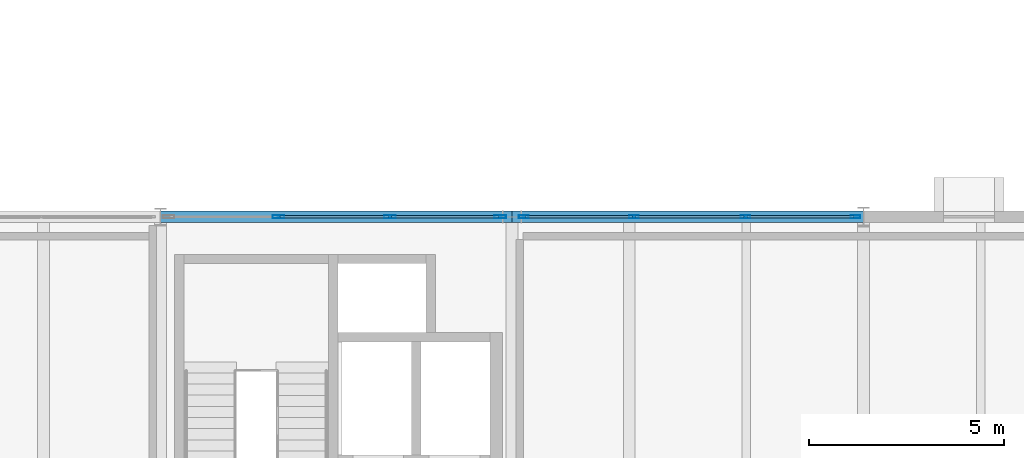
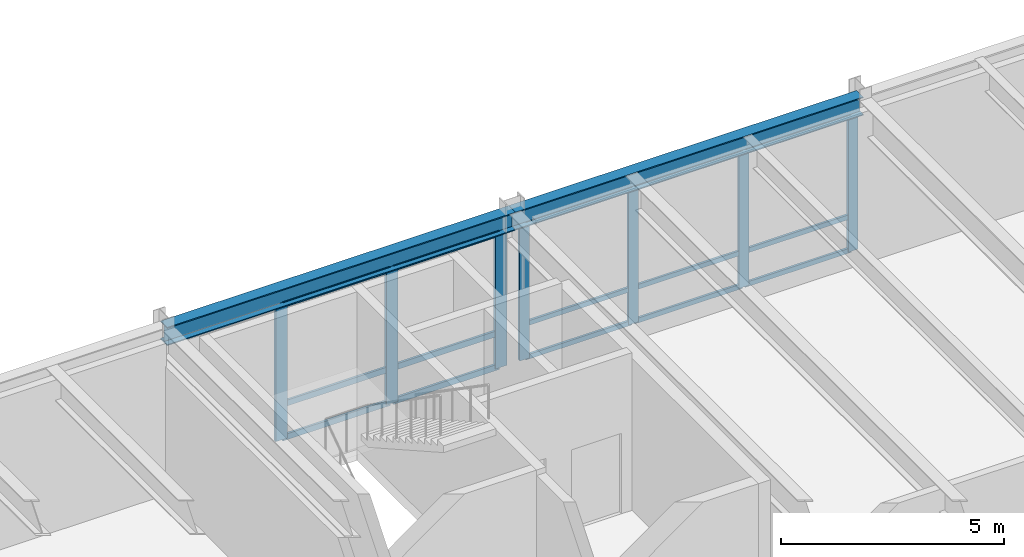
# One storey, part 87 of 142: 22 members, 2 beams, 2 elements without a shape of their own.
"""IFC4 building model written with IfcOpenShell, lengths in metres."""

from ifc_helpers import new_model, si_unit, direction, frame, origin, origin_2d, place, context, subcontext, project, spatial, hollow_rectangle, i_section, extrude, material, layer, layer_set, material_profile, profile_set, type_object, element, aggregate, save


model = new_model("IFC4")

# Units and contexts
model_context = context("Model", 3, precision=1e-05, world=origin(), true_north=direction((0.0, 1.0)))
body_context = subcontext(model_context, "Body", "Model", "MODEL_VIEW")
ifc_project = project(units=[si_unit("LENGTHUNIT", "METRE"), si_unit("AREAUNIT", "SQUARE_METRE"), si_unit("VOLUMEUNIT", "CUBIC_METRE"), si_unit("PLANEANGLEUNIT", "RADIAN"), si_unit("MASSUNIT", "GRAM", prefix="KILO")], contexts=[model_context])

# Site, building, storey
site_placement = place(None, origin())
site = spatial("IfcSite", under=ifc_project, at=site_placement, CompositionType="ELEMENT")
building_placement = place(site_placement, origin())
building = spatial("IfcBuilding", under=site, at=building_placement, Name="Montelvaro Courts of Justice", CompositionType="ELEMENT")
storey_placement = place(building_placement, frame((0.0, 0.0, 14.39990234375)))
storey = spatial("IfcBuildingStorey", under=building, at=storey_placement, Name="L03", CompositionType="ELEMENT", Elevation=14.39990234375)

# Beams
ifc_material_1 = material(Name="Steel S355", Category="steel")
ifc_material_profile_1 = material_profile(ifc_material_1, i_section(OverallWidth=0.300048828125, OverallDepth=0.5, WebThickness=0.014404296875, FlangeThickness=0.028076171875, at=origin_2d()), Name="HEB 500")
ifc_profile_set_1 = profile_set([ifc_material_profile_1], Name="Steel S355")
beam_type = type_object("IfcBeamType", Name="Beam_HEB500", PredefinedType="USERDEFINED", material=ifc_profile_set_1)
for number, where, z_axis, x_axis, name in (
    (1, (117.0, 96.0, 3.9501953125), (1.0, 0.0, 0.0), (0.0, 1.0, 0.0), "Beam B-25 L03"),
    (2, (126.0, 96.0, 3.9501953125), (1.0, 0.0, 0.0), (0.0, 1.0, 0.0), "Beam B-25 L03"),
):
    element("IfcBeam", number, at=place(storey_placement, frame(where, z_axis=z_axis, x_axis=x_axis)), inside=storey, type_object=beam_type, Name=name, ObjectType="GIRDER", PredefinedType="USERDEFINED", context=body_context, shape_type="SweptSolid", body=[
        extrude(i_section(OverallWidth=0.300048828125, OverallDepth=0.5, WebThickness=0.014404296875, FlangeThickness=0.028076171875, at=origin_2d()), origin(), (0.0, 0.0, 1.0), 9.0),
    ])

# Curtain wall, members
ifc_material_2 = material(Name="Anodised aluminium EN AW-6063", Category="aluminium")
ifc_layer = layer(ifc_material_2, 0.159912109375)
ifc_layer_set = layer_set([ifc_layer], Name="Anodised aluminium EN AW-6063")
curtain_wall_type = type_object("IfcCurtainWallType", Name="CurtainWall_13_857x418", PredefinedType="USERDEFINED", material=ifc_layer_set)
curtain_wall_1_placement = place(storey_placement, origin())
curtain_wall_1 = element("IfcCurtainWall", 3, at=curtain_wall_1_placement, inside=storey, type_object=curtain_wall_type, Name="Curtain Wall CW-13 (L03)", ObjectType="CURTAIN WALL", PredefinedType="USERDEFINED")
ifc_material_profile_2 = material_profile(ifc_material_2, hollow_rectangle(XDim=0.074951171875, YDim=0.25, WallThickness=0.005615234375, at=origin_2d()), Name="ALU-M 75x250")
ifc_profile_set_2 = profile_set([ifc_material_profile_2], Name="Anodised aluminium EN AW-6063")
member_type_1 = type_object("IfcMemberType", Name="CurtainWall_Mullion_75x250", PredefinedType="MULLION", material=ifc_profile_set_2)
member_1_placement = place(storey_placement, frame((134.797607421875, 96.0, 0.0), z_axis=(0.0, 0.0, 1.0), x_axis=(0.0, -1.0, 0.0)))
member_1 = element("IfcMember", 4, at=member_1_placement, type_object=member_type_1, Name="CW-13 mullion 1", PredefinedType="MULLION", context=body_context, shape_type="SweptSolid", body=[
    extrude(hollow_rectangle(XDim=0.074951171875, YDim=0.25, WallThickness=0.005615234375, at=origin_2d()), origin(), (0.0, 0.0, 1.0), 3.695068359375),
])
member_2_placement = place(storey_placement, frame((131.978271484375, 96.0, 0.0), z_axis=(0.0, 0.0, 1.0), x_axis=(0.0, -1.0, 0.0)))
member_2 = element("IfcMember", 5, at=member_2_placement, type_object=member_type_1, Name="CW-13 mullion 2", PredefinedType="MULLION", context=body_context, shape_type="SweptSolid", body=[
    extrude(hollow_rectangle(XDim=0.074951171875, YDim=0.25, WallThickness=0.005615234375, at=origin_2d()), origin(), (0.0, 0.0, 1.0), 3.695068359375),
])
member_3_placement = place(storey_placement, frame((129.12158203125, 96.0, 0.0), z_axis=(0.0, 0.0, 1.0), x_axis=(0.0, -1.0, 0.0)))
member_3 = element("IfcMember", 6, at=member_3_placement, type_object=member_type_1, Name="CW-13 mullion 3", PredefinedType="MULLION", context=body_context, shape_type="SweptSolid", body=[
    extrude(hollow_rectangle(XDim=0.074951171875, YDim=0.25, WallThickness=0.005615234375, at=origin_2d()), origin(), (0.0, 0.0, 1.0), 3.695068359375),
])
member_4_placement = place(storey_placement, frame((126.302490234375, 96.0, 0.0), z_axis=(0.0, 0.0, 1.0), x_axis=(0.0, -1.0, 0.0)))
member_4 = element("IfcMember", 7, at=member_4_placement, type_object=member_type_1, Name="CW-13 mullion 4", PredefinedType="MULLION", context=body_context, shape_type="SweptSolid", body=[
    extrude(hollow_rectangle(XDim=0.074951171875, YDim=0.25, WallThickness=0.005615234375, at=origin_2d()), origin(), (0.0, 0.0, 1.0), 3.695068359375),
])

curtain_wall_2_placement = place(storey_placement, origin())
curtain_wall_2 = element("IfcCurtainWall", 8, at=curtain_wall_2_placement, inside=storey, type_object=curtain_wall_type, Name="Curtain Wall CW-13 (L03)", ObjectType="CURTAIN WALL", PredefinedType="USERDEFINED")
ifc_material_profile_3 = material_profile(ifc_material_2, hollow_rectangle(XDim=0.074951171875, YDim=0.300048828125, WallThickness=0.006103515625, at=origin_2d()), Name="ALU-M 75x300")
ifc_profile_set_3 = profile_set([ifc_material_profile_3], Name="Anodised aluminium EN AW-6063")
member_type_2 = type_object("IfcMemberType", Name="CurtainWall_Mullion_75x300", PredefinedType="MULLION", material=ifc_profile_set_3)
member_5_placement = place(storey_placement, frame((125.697509765625, 96.0, 0.0), z_axis=(0.0, 0.0, 1.0), x_axis=(0.0, -1.0, 0.0)))
member_5 = element("IfcMember", 9, at=member_5_placement, type_object=member_type_2, Name="CW-13 mullion 1", PredefinedType="MULLION", context=body_context, shape_type="SweptSolid", body=[
    extrude(hollow_rectangle(XDim=0.074951171875, YDim=0.300048828125, WallThickness=0.006103515625, at=origin_2d()), origin(), (0.0, 0.0, 1.0), 3.695068359375),
])
member_6_placement = place(storey_placement, frame((122.87841796875, 96.0, 0.0), z_axis=(0.0, 0.0, 1.0), x_axis=(0.0, -1.0, 0.0)))
member_6 = element("IfcMember", 10, at=member_6_placement, type_object=member_type_2, Name="CW-13 mullion 2", PredefinedType="MULLION", context=body_context, shape_type="SweptSolid", body=[
    extrude(hollow_rectangle(XDim=0.074951171875, YDim=0.300048828125, WallThickness=0.006103515625, at=origin_2d()), origin(), (0.0, 0.0, 1.0), 3.695068359375),
])
member_7_placement = place(storey_placement, frame((120.021728515625, 96.0, 0.0), z_axis=(0.0, 0.0, 1.0), x_axis=(0.0, -1.0, 0.0)))
member_7 = element("IfcMember", 11, at=member_7_placement, type_object=member_type_2, Name="CW-13 mullion 3", PredefinedType="MULLION", context=body_context, shape_type="SweptSolid", body=[
    extrude(hollow_rectangle(XDim=0.074951171875, YDim=0.300048828125, WallThickness=0.006103515625, at=origin_2d()), origin(), (0.0, 0.0, 1.0), 3.695068359375),
])

# Member
ifc_material_profile_4 = material_profile(ifc_material_2, hollow_rectangle(XDim=0.06005859375, YDim=0.1298828125, WallThickness=0.00390625, at=origin_2d()), Name="ALU-T 60x130")
ifc_profile_set_4 = profile_set([ifc_material_profile_4], Name="Anodised aluminium EN AW-6063")
member_type_3 = type_object("IfcMemberType", Name="CurtainWall_Transom_60x130", PredefinedType="USERDEFINED", material=ifc_profile_set_4)
member_8_placement = place(storey_placement, frame((134.760009765625, 96.0, 0.030029296875), z_axis=(-1.0, 0.0, 0.0), x_axis=(0.0, -1.0, 0.0)))
member_8 = element("IfcMember", 12, at=member_8_placement, type_object=member_type_3, Name="CW-13 transom 1.1", ObjectType="TRANSOM", PredefinedType="USERDEFINED", context=body_context, shape_type="SweptSolid", body=[
    extrude(hollow_rectangle(XDim=0.06005859375, YDim=0.1298828125, WallThickness=0.00390625, at=origin_2d()), origin(), (0.0, 0.0, 1.0), 2.744140625),
])

member_9_placement = place(storey_placement, frame((134.760009765625, 96.0, 0.9501953125), z_axis=(-1.0, 0.0, 0.0), x_axis=(0.0, -1.0, 0.0)))
member_9 = element("IfcMember", 13, at=member_9_placement, type_object=member_type_3, Name="CW-13 transom 1.2", ObjectType="TRANSOM", PredefinedType="USERDEFINED", context=body_context, shape_type="SweptSolid", body=[
    extrude(hollow_rectangle(XDim=0.06005859375, YDim=0.1298828125, WallThickness=0.00390625, at=origin_2d()), origin(), (0.0, 0.0, 1.0), 2.744140625),
])

member_10_placement = place(storey_placement, frame((134.760009765625, 96.0, 3.6650390625), z_axis=(-1.0, 0.0, 0.0), x_axis=(0.0, -1.0, 0.0)))
member_10 = element("IfcMember", 14, at=member_10_placement, type_object=member_type_3, Name="CW-13 transom 1.3", ObjectType="TRANSOM", PredefinedType="USERDEFINED", context=body_context, shape_type="SweptSolid", body=[
    extrude(hollow_rectangle(XDim=0.06005859375, YDim=0.1298828125, WallThickness=0.00390625, at=origin_2d()), origin(), (0.0, 0.0, 1.0), 2.744140625),
])

member_11_placement = place(storey_placement, frame((131.94091796875, 96.0, 0.030029296875), z_axis=(-1.0, 0.0, 0.0), x_axis=(0.0, -1.0, 0.0)))
member_11 = element("IfcMember", 15, at=member_11_placement, type_object=member_type_3, Name="CW-13 transom 2.1", ObjectType="TRANSOM", PredefinedType="USERDEFINED", context=body_context, shape_type="SweptSolid", body=[
    extrude(hollow_rectangle(XDim=0.06005859375, YDim=0.1298828125, WallThickness=0.00390625, at=origin_2d()), origin(), (0.0, 0.0, 1.0), 2.78173828125),
])

member_12_placement = place(storey_placement, frame((131.94091796875, 96.0, 0.9501953125), z_axis=(-1.0, 0.0, 0.0), x_axis=(0.0, -1.0, 0.0)))
member_12 = element("IfcMember", 16, at=member_12_placement, type_object=member_type_3, Name="CW-13 transom 2.2", ObjectType="TRANSOM", PredefinedType="USERDEFINED", context=body_context, shape_type="SweptSolid", body=[
    extrude(hollow_rectangle(XDim=0.06005859375, YDim=0.1298828125, WallThickness=0.00390625, at=origin_2d()), origin(), (0.0, 0.0, 1.0), 2.78173828125),
])

member_13_placement = place(storey_placement, frame((131.94091796875, 96.0, 3.6650390625), z_axis=(-1.0, 0.0, 0.0), x_axis=(0.0, -1.0, 0.0)))
member_13 = element("IfcMember", 17, at=member_13_placement, type_object=member_type_3, Name="CW-13 transom 2.3", ObjectType="TRANSOM", PredefinedType="USERDEFINED", context=body_context, shape_type="SweptSolid", body=[
    extrude(hollow_rectangle(XDim=0.06005859375, YDim=0.1298828125, WallThickness=0.00390625, at=origin_2d()), origin(), (0.0, 0.0, 1.0), 2.78173828125),
])

member_14_placement = place(storey_placement, frame((129.084228515625, 96.0, 0.030029296875), z_axis=(-1.0, 0.0, 0.0), x_axis=(0.0, -1.0, 0.0)))
member_14 = element("IfcMember", 18, at=member_14_placement, type_object=member_type_3, Name="CW-13 transom 3.1", ObjectType="TRANSOM", PredefinedType="USERDEFINED", context=body_context, shape_type="SweptSolid", body=[
    extrude(hollow_rectangle(XDim=0.06005859375, YDim=0.1298828125, WallThickness=0.00390625, at=origin_2d()), origin(), (0.0, 0.0, 1.0), 2.744140625),
])

member_15_placement = place(storey_placement, frame((129.084228515625, 96.0, 0.9501953125), z_axis=(-1.0, 0.0, 0.0), x_axis=(0.0, -1.0, 0.0)))
member_15 = element("IfcMember", 19, at=member_15_placement, type_object=member_type_3, Name="CW-13 transom 3.2", ObjectType="TRANSOM", PredefinedType="USERDEFINED", context=body_context, shape_type="SweptSolid", body=[
    extrude(hollow_rectangle(XDim=0.06005859375, YDim=0.1298828125, WallThickness=0.00390625, at=origin_2d()), origin(), (0.0, 0.0, 1.0), 2.744140625),
])

member_16_placement = place(storey_placement, frame((129.084228515625, 96.0, 3.6650390625), z_axis=(-1.0, 0.0, 0.0), x_axis=(0.0, -1.0, 0.0)))
member_16 = element("IfcMember", 20, at=member_16_placement, type_object=member_type_3, Name="CW-13 transom 3.3", ObjectType="TRANSOM", PredefinedType="USERDEFINED", context=body_context, shape_type="SweptSolid", body=[
    extrude(hollow_rectangle(XDim=0.06005859375, YDim=0.1298828125, WallThickness=0.00390625, at=origin_2d()), origin(), (0.0, 0.0, 1.0), 2.744140625),
])

aggregate(curtain_wall_1, [member_1, member_2, member_3, member_4, member_8, member_9, member_10, member_11, member_12, member_13, member_14, member_15, member_16])

ifc_material_profile_5 = material_profile(ifc_material_2, hollow_rectangle(XDim=0.06005859375, YDim=0.159912109375, WallThickness=0.00439453125, at=origin_2d()), Name="ALU-T 60x160")
ifc_profile_set_5 = profile_set([ifc_material_profile_5], Name="Anodised aluminium EN AW-6063")
member_type_4 = type_object("IfcMemberType", Name="CurtainWall_Transom_60x160", PredefinedType="USERDEFINED", material=ifc_profile_set_5)
member_17_placement = place(storey_placement, frame((125.659912109375, 96.0, 0.030029296875), z_axis=(-1.0, 0.0, 0.0), x_axis=(0.0, -1.0, 0.0)))
member_17 = element("IfcMember", 21, at=member_17_placement, type_object=member_type_4, Name="CW-13 transom 1.1", ObjectType="TRANSOM", PredefinedType="USERDEFINED", context=body_context, shape_type="SweptSolid", body=[
    extrude(hollow_rectangle(XDim=0.06005859375, YDim=0.159912109375, WallThickness=0.00439453125, at=origin_2d()), origin(), (0.0, 0.0, 1.0), 2.744140625),
])

member_18_placement = place(storey_placement, frame((125.659912109375, 96.0, 0.9501953125), z_axis=(-1.0, 0.0, 0.0), x_axis=(0.0, -1.0, 0.0)))
member_18 = element("IfcMember", 22, at=member_18_placement, type_object=member_type_4, Name="CW-13 transom 1.2", ObjectType="TRANSOM", PredefinedType="USERDEFINED", context=body_context, shape_type="SweptSolid", body=[
    extrude(hollow_rectangle(XDim=0.06005859375, YDim=0.159912109375, WallThickness=0.00439453125, at=origin_2d()), origin(), (0.0, 0.0, 1.0), 2.744140625),
])

member_19_placement = place(storey_placement, frame((125.659912109375, 96.0, 3.6650390625), z_axis=(-1.0, 0.0, 0.0), x_axis=(0.0, -1.0, 0.0)))
member_19 = element("IfcMember", 23, at=member_19_placement, type_object=member_type_4, Name="CW-13 transom 1.3", ObjectType="TRANSOM", PredefinedType="USERDEFINED", context=body_context, shape_type="SweptSolid", body=[
    extrude(hollow_rectangle(XDim=0.06005859375, YDim=0.159912109375, WallThickness=0.00439453125, at=origin_2d()), origin(), (0.0, 0.0, 1.0), 2.744140625),
])

member_20_placement = place(storey_placement, frame((122.8408203125, 96.0, 0.030029296875), z_axis=(-1.0, 0.0, 0.0), x_axis=(0.0, -1.0, 0.0)))
member_20 = element("IfcMember", 24, at=member_20_placement, type_object=member_type_4, Name="CW-13 transom 2.1", ObjectType="TRANSOM", PredefinedType="USERDEFINED", context=body_context, shape_type="SweptSolid", body=[
    extrude(hollow_rectangle(XDim=0.06005859375, YDim=0.159912109375, WallThickness=0.00439453125, at=origin_2d()), origin(), (0.0, 0.0, 1.0), 2.78173828125),
])

member_21_placement = place(storey_placement, frame((122.8408203125, 96.0, 0.9501953125), z_axis=(-1.0, 0.0, 0.0), x_axis=(0.0, -1.0, 0.0)))
member_21 = element("IfcMember", 25, at=member_21_placement, type_object=member_type_4, Name="CW-13 transom 2.2", ObjectType="TRANSOM", PredefinedType="USERDEFINED", context=body_context, shape_type="SweptSolid", body=[
    extrude(hollow_rectangle(XDim=0.06005859375, YDim=0.159912109375, WallThickness=0.00439453125, at=origin_2d()), origin(), (0.0, 0.0, 1.0), 2.78173828125),
])

member_22_placement = place(storey_placement, frame((122.8408203125, 96.0, 3.6650390625), z_axis=(-1.0, 0.0, 0.0), x_axis=(0.0, -1.0, 0.0)))
member_22 = element("IfcMember", 26, at=member_22_placement, type_object=member_type_4, Name="CW-13 transom 2.3", ObjectType="TRANSOM", PredefinedType="USERDEFINED", context=body_context, shape_type="SweptSolid", body=[
    extrude(hollow_rectangle(XDim=0.06005859375, YDim=0.159912109375, WallThickness=0.00439453125, at=origin_2d()), origin(), (0.0, 0.0, 1.0), 2.78173828125),
])

aggregate(curtain_wall_2, [member_5, member_6, member_7, member_17, member_18, member_19, member_20, member_21, member_22])

save(model, "model.ifc")
